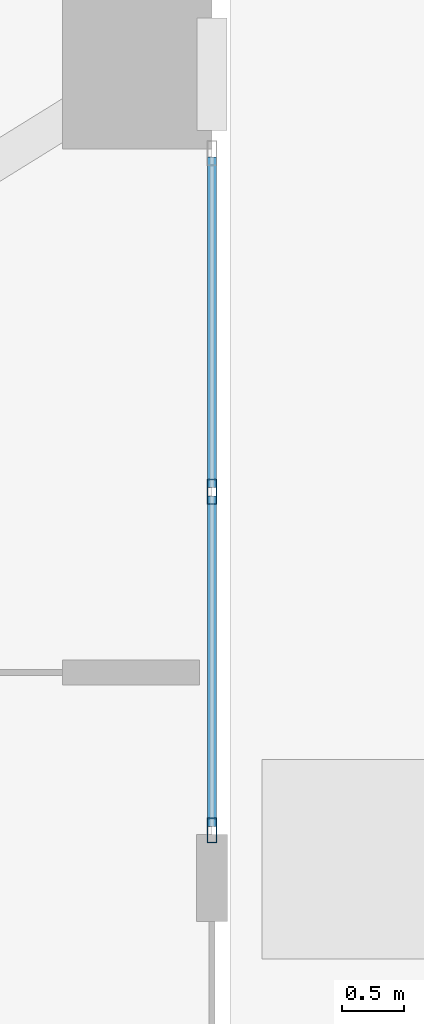
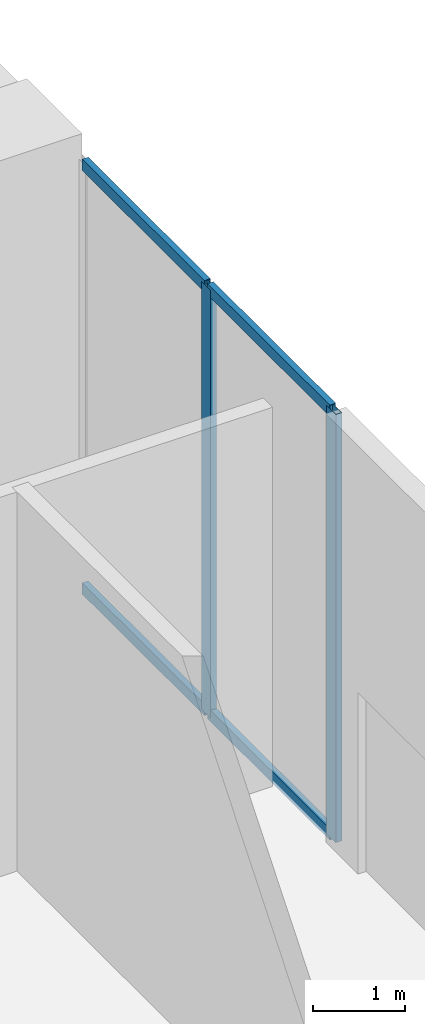
# One storey, part 12 of 26: 6 members, 1 element without a shape of its own.
"""IFC4 building model written with IfcOpenShell, lengths in metres."""

import ifcopenshell
import ifcopenshell.guid

model = None  # the IFC model being written
_history = None  # IfcOwnerHistory: only IFC2X3 demands one
_inside = {}  # id of a spatial element -> (the spatial element, [elements in it])
_under = {}  # id of a project, library or spatial element -> (it, [spatial elements below it])
_declared = {}  # id of a project -> (the project, [libraries it declares])
_typed = {}  # id of a type object -> (the type object, [elements of that type])
_made_of = {}  # id of a material, layer set ... -> (it, [elements and type objects made of it])


def new_model(schema):
    """Start an empty IFC model of exactly this schema.

    Asked for "IFC4X3", IfcOpenShell would pick the latest addendum, in which some entities
    have other attributes; the version numbers below select the first issue.
    IFC2X3 requires an IfcOwnerHistory on every rooted entity: one is made here for all.
    """
    global model, _history
    if schema == "IFC4X3":
        model = ifcopenshell.file(schema_version=(4, 3, 0, 0))
    else:
        model = ifcopenshell.file(schema=schema)
    _inside.clear()
    _under.clear()
    _declared.clear()
    _typed.clear()
    _made_of.clear()
    _history = None
    if model.schema == "IFC2X3":
        org = make("IfcOrganization", Name="unknown")
        user = make(
            "IfcPersonAndOrganization",
            ThePerson=make("IfcPerson", FamilyName="unknown"),
            TheOrganization=org,
        )
        app = make(
            "IfcApplication",
            ApplicationDeveloper=org,
            Version="unknown",
            ApplicationFullName="unknown",
            ApplicationIdentifier="unknown",
        )
        _history = make(
            "IfcOwnerHistory",
            OwningUser=user,
            OwningApplication=app,
            ChangeAction="ADDED",
            CreationDate=0,
        )
    return model


def make(cls, **values):
    """One entity of the class cls with the attributes given. An attribute that is None is left unset."""
    return model.create_entity(
        cls, **{name: value for name, value in values.items() if value is not None}
    )


def rooted(cls, **values):
    """An entity with a GlobalId (a new one), such as an element, a storey or a relation."""
    return make(cls, GlobalId=ifcopenshell.guid.new(), OwnerHistory=_history, **values)


def si_unit(unit_type, name, prefix=None):
    """IfcSIUnit, for example si_unit("LENGTHUNIT", "METRE", prefix="MILLI")."""
    return make("IfcSIUnit", UnitType=unit_type, Prefix=prefix, Name=name)


def assignment(units):
    """IfcUnitAssignment: the units of a project."""
    return None if units is None else make("IfcUnitAssignment", Units=units)


def point(xyz):
    """IfcCartesianPoint."""
    return None if xyz is None else make("IfcCartesianPoint", Coordinates=xyz)


def direction(xyz):
    """IfcDirection."""
    return None if xyz is None else make("IfcDirection", DirectionRatios=xyz)


def frame(location, z_axis=None, x_axis=None):
    """IfcAxis2Placement3D, a coordinate frame: its origin and axes. An axis left out is left unset."""
    return make(
        "IfcAxis2Placement3D",
        Location=point(location),
        Axis=direction(z_axis),
        RefDirection=direction(x_axis),
    )


def frame_2d(location, x_axis=None):
    """IfcAxis2Placement2D, a coordinate frame in the plane: its origin and x axis."""
    return make(
        "IfcAxis2Placement2D", Location=point(location), RefDirection=direction(x_axis)
    )


def origin():
    """The frame at (0, 0, 0) with its axes left unset."""
    return frame((0.0, 0.0, 0.0))


def origin_2d():
    """The frame at (0, 0) in the plane with its x axis left unset."""
    return frame_2d((0.0, 0.0))


def place(relative_to, where):
    """IfcLocalPlacement: puts the frame where relative to a parent placement (None: the world)."""
    return make(
        "IfcLocalPlacement", PlacementRelTo=relative_to, RelativePlacement=where
    )


def context(
    kind, dimensions, precision=None, world=None, true_north=None, identifier=None
):
    """IfcGeometricRepresentationContext, for example the 3D "Model" context."""
    return make(
        "IfcGeometricRepresentationContext",
        ContextIdentifier=identifier,
        ContextType=kind,
        CoordinateSpaceDimension=dimensions,
        Precision=precision,
        WorldCoordinateSystem=world,
        TrueNorth=true_north,
    )


def subcontext(parent, identifier, kind, view, scale=None):
    """IfcGeometricRepresentationSubContext, for example "Body" below "Model"."""
    return make(
        "IfcGeometricRepresentationSubContext",
        ContextIdentifier=identifier,
        ContextType=kind,
        ParentContext=parent,
        TargetScale=scale,
        TargetView=view,
    )


def project(units=None, contexts=None):
    """IfcProject with its units and contexts."""
    return rooted(
        "IfcProject",
        Name="project",
        RepresentationContexts=contexts,
        UnitsInContext=assignment(units),
    )


def spatial(cls, under=None, at=None, **own):
    """A site, building, storey or space (cls), placed at a placement, below another one or the project."""
    s = rooted(cls, ObjectPlacement=at, **own)
    if under is not None:
        _under.setdefault(under.id(), (under, []))[1].append(s)
    return s


def profile(cls, at=None, kind="AREA", **sizes):
    """A parametric profile (cls). Its sizes go by their IFC names, for example OverallWidth=200.0."""
    return make(cls, ProfileType=kind, Position=at, **sizes)


def hollow_rectangle(**sizes):
    """IfcRectangleHollowProfileDef."""
    return profile("IfcRectangleHollowProfileDef", **sizes)


def extrude(swept, where, along, depth):
    """IfcExtrudedAreaSolid: the profile swept, set in the frame where, extruded along a direction by depth."""
    return make(
        "IfcExtrudedAreaSolid",
        SweptArea=swept,
        Position=where,
        ExtrudedDirection=direction(along),
        Depth=depth,
    )


def shape(context_of_items, identifier, shape_type, items):
    """IfcShapeRepresentation: the items that make up one representation, for example the "Body"."""
    return make(
        "IfcShapeRepresentation",
        ContextOfItems=context_of_items,
        RepresentationIdentifier=identifier,
        RepresentationType=shape_type,
        Items=items,
    )


def material(Name=None, Category=None):
    """IfcMaterial."""
    return make("IfcMaterial", Name=Name, Category=Category)


def layer(
    of_material, thickness, ventilated=None, Name=None, Category=None, Priority=None
):
    """IfcMaterialLayer: one layer of a wall or slab, of a material (None: an air gap)."""
    return make(
        "IfcMaterialLayer",
        Material=of_material,
        LayerThickness=thickness,
        IsVentilated=ventilated,
        Name=Name,
        Category=Category,
        Priority=Priority,
    )


def layer_set(layers, Name=None):
    """IfcMaterialLayerSet."""
    return make("IfcMaterialLayerSet", MaterialLayers=layers, LayerSetName=Name)


def material_profile(
    of_material, cross_section, Name=None, Category=None, Priority=None
):
    """IfcMaterialProfile: a cross section and its material."""
    return make(
        "IfcMaterialProfile",
        Name=Name,
        Material=of_material,
        Profile=cross_section,
        Priority=Priority,
        Category=Category,
    )


def profile_set(profiles, Name=None, composite=None):
    """IfcMaterialProfileSet."""
    return make(
        "IfcMaterialProfileSet",
        Name=Name,
        MaterialProfiles=profiles,
        CompositeProfile=composite,
    )


def made_of(thing, what):
    """Note that an element or type object is made of a material, layer set ...; save() writes the relation."""
    if what is not None:
        _made_of.setdefault(what.id(), (what, []))[1].append(thing)
    return thing


def type_object(cls, material=None, **own):
    """A type object (cls), such as IfcWallType, which elements share."""
    return made_of(rooted(cls, **own), material)


def element(
    cls,
    number,
    at=None,
    inside=None,
    cuts=None,
    type_object=None,
    material=None,
    context=None,
    identifier="Body",
    shape_type=None,
    held_by="IfcProductDefinitionShape",
    body=None,
    shapes=None,
    **own,
):
    """One element of the class cls, such as IfcWall. Its Tag is "e" and its number.

    at: its placement. inside: the storey or other place that contains it. cuts: it is an
    opening in that element (IfcRelVoidsElement). A single representation is given by context,
    identifier, shape_type and body (its items); several are given by shapes. held_by: the class
    of the entity that holds the representations. save() writes the other relations.
    """
    e = rooted(cls, Tag="e%d" % number, ObjectPlacement=at, **own)
    if body is not None:
        shapes = [shape(context, identifier, shape_type, body)]
    if shapes is not None:
        e.Representation = make(held_by, Representations=shapes)
    if inside is not None:
        _inside.setdefault(inside.id(), (inside, []))[1].append(e)
    if cuts is not None:
        rooted(
            "IfcRelVoidsElement", RelatingBuildingElement=cuts, RelatedOpeningElement=e
        )
    if type_object is not None:
        _typed.setdefault(type_object.id(), (type_object, []))[1].append(e)
    return made_of(e, material)


def aggregate(whole, parts):
    """IfcRelAggregates: a whole, such as a stair, and the parts it consists of."""
    return rooted("IfcRelAggregates", RelatingObject=whole, RelatedObjects=parts)


def save(model, path):
    """Write the relations noted so far, then the file.

    IfcRelAggregates (storeys below a building ...), IfcRelContainedInSpatialStructure (elements
    in a storey), IfcRelDefinesByType, IfcRelAssociatesMaterial and IfcRelDeclares: one each for
    every whole, place, type object, material and project.
    """
    for whole, parts in _under.values():
        aggregate(whole, parts)
    for where, things in _inside.values():
        rooted(
            "IfcRelContainedInSpatialStructure",
            RelatedElements=things,
            RelatingStructure=where,
        )
    for kind, things in _typed.values():
        rooted("IfcRelDefinesByType", RelatedObjects=things, RelatingType=kind)
    for what, things in _made_of.values():
        rooted("IfcRelAssociatesMaterial", RelatedObjects=things, RelatingMaterial=what)
    for by, libraries in _declared.values():
        rooted("IfcRelDeclares", RelatingContext=by, RelatedDefinitions=libraries)
    model.write(path)


model = new_model("IFC4")

# Units and contexts
model_context = context("Model", 3, precision=1e-05, world=origin(), true_north=direction((0.0, 1.0)))
body_context = subcontext(model_context, "Body", "Model", "MODEL_VIEW")
ifc_project = project(units=[si_unit("LENGTHUNIT", "METRE"), si_unit("AREAUNIT", "SQUARE_METRE"), si_unit("VOLUMEUNIT", "CUBIC_METRE"), si_unit("PLANEANGLEUNIT", "RADIAN"), si_unit("MASSUNIT", "GRAM", prefix="KILO")], contexts=[model_context])

# Site, building, storey
site_placement = place(None, origin())
site = spatial("IfcSite", under=ifc_project, at=site_placement, CompositionType="ELEMENT")
building_placement = place(site_placement, origin())
building = spatial("IfcBuilding", under=site, at=building_placement, Name="Catumbela Crestline Tower", CompositionType="ELEMENT")
storey_placement = place(building_placement, origin())
storey = spatial("IfcBuildingStorey", under=building, at=storey_placement, Name="L00", CompositionType="ELEMENT", Elevation=0.0)

# Curtain wall, members
ifc_material = material(Name="Aluminium alloy AW-6060-T66", Category="aluminium")
ifc_layer = layer(ifc_material, 0.18, Name="Aluminium alloy AW-6060-T66")
ifc_layer_set = layer_set([ifc_layer], Name="Aluminium alloy AW-6060-T66")
curtain_wall_type = type_object("IfcCurtainWallType", Name="CWS-POD", PredefinedType="USERDEFINED", material=ifc_layer_set)
curtain_wall_placement = place(storey_placement, origin())
curtain_wall = element("IfcCurtainWall", 1, at=curtain_wall_placement, inside=storey, type_object=curtain_wall_type, Name="L00 Stick Curtain Wall CW-L00-E5S3", ObjectType="STICK", PredefinedType="USERDEFINED")
ifc_material_profile_1 = material_profile(ifc_material, hollow_rectangle(XDim=0.075, YDim=0.2, WallThickness=0.005, at=origin_2d()), Name="ALU 200x75x5")
ifc_profile_set_1 = profile_set([ifc_material_profile_1], Name="Aluminium alloy AW-6060-T66")
member_type_1 = type_object("IfcMemberType", Name="MUL-200X75", PredefinedType="MULLION", material=ifc_profile_set_1)
member_1_placement = place(storey_placement, frame((56.0, 36.2325, 0.0), z_axis=(0.0, 0.0, 1.0), x_axis=(-1.0, 0.0, 0.0)))
member_1 = element("IfcMember", 2, at=member_1_placement, type_object=member_type_1, Name="CWS-POD mullion 1", PredefinedType="MULLION", context=body_context, shape_type="SweptSolid", body=[
    extrude(hollow_rectangle(XDim=0.075, YDim=0.2, WallThickness=0.005, at=origin_2d()), origin(), (0.0, 0.0, 1.0), 5.67),
])
member_2_placement = place(storey_placement, frame((56.0, 38.95, 0.0), z_axis=(0.0, 0.0, 1.0), x_axis=(-1.0, 0.0, 0.0)))
member_2 = element("IfcMember", 3, at=member_2_placement, type_object=member_type_1, Name="CWS-POD mullion 2", PredefinedType="MULLION", context=body_context, shape_type="SweptSolid", body=[
    extrude(hollow_rectangle(XDim=0.075, YDim=0.2, WallThickness=0.005, at=origin_2d()), origin(), (0.0, 0.0, 1.0), 5.67),
])
ifc_material_profile_2 = material_profile(ifc_material, hollow_rectangle(XDim=0.075, YDim=0.15, WallThickness=0.0045, at=origin_2d()), Name="ALU 150x75x4.5")
ifc_profile_set_2 = profile_set([ifc_material_profile_2], Name="Aluminium alloy AW-6060-T66")
member_type_2 = type_object("IfcMemberType", Name="TRN-150X75", PredefinedType="USERDEFINED", material=ifc_profile_set_2)
member_3_placement = place(storey_placement, frame((56.0, 36.265, 0.03), z_axis=(0.0, 1.0, 0.0), x_axis=(-1.0, 0.0, 0.0)))
member_3 = element("IfcMember", 4, at=member_3_placement, type_object=member_type_2, Name="CWS-POD transom 1.1", ObjectType="TRANSOM", PredefinedType="USERDEFINED", context=body_context, shape_type="SweptSolid", body=[
    extrude(hollow_rectangle(XDim=0.075, YDim=0.15, WallThickness=0.0045, at=origin_2d()), origin(), (0.0, 0.0, 1.0), 2.6525),
])
member_4_placement = place(storey_placement, frame((56.0, 36.265, 5.64), z_axis=(0.0, 1.0, 0.0), x_axis=(-1.0, 0.0, 0.0)))
member_4 = element("IfcMember", 5, at=member_4_placement, type_object=member_type_2, Name="CWS-POD transom 1.2", ObjectType="TRANSOM", PredefinedType="USERDEFINED", context=body_context, shape_type="SweptSolid", body=[
    extrude(hollow_rectangle(XDim=0.075, YDim=0.15, WallThickness=0.0045, at=origin_2d()), origin(), (0.0, 0.0, 1.0), 2.6525),
])
member_5_placement = place(storey_placement, frame((56.0, 38.9825, 0.03), z_axis=(0.0, 1.0, 0.0), x_axis=(-1.0, 0.0, 0.0)))
member_5 = element("IfcMember", 6, at=member_5_placement, type_object=member_type_2, Name="CWS-POD transom 2.1", ObjectType="TRANSOM", PredefinedType="USERDEFINED", context=body_context, shape_type="SweptSolid", body=[
    extrude(hollow_rectangle(XDim=0.075, YDim=0.15, WallThickness=0.0045, at=origin_2d()), origin(), (0.0, 0.0, 1.0), 2.6525),
])
member_6_placement = place(storey_placement, frame((56.0, 38.9825, 5.64), z_axis=(0.0, 1.0, 0.0), x_axis=(-1.0, 0.0, 0.0)))
member_6 = element("IfcMember", 7, at=member_6_placement, type_object=member_type_2, Name="CWS-POD transom 2.2", ObjectType="TRANSOM", PredefinedType="USERDEFINED", context=body_context, shape_type="SweptSolid", body=[
    extrude(hollow_rectangle(XDim=0.075, YDim=0.15, WallThickness=0.0045, at=origin_2d()), origin(), (0.0, 0.0, 1.0), 2.6525),
])
aggregate(curtain_wall, [member_1, member_2, member_3, member_4, member_5, member_6])

save(model, "model.ifc")
